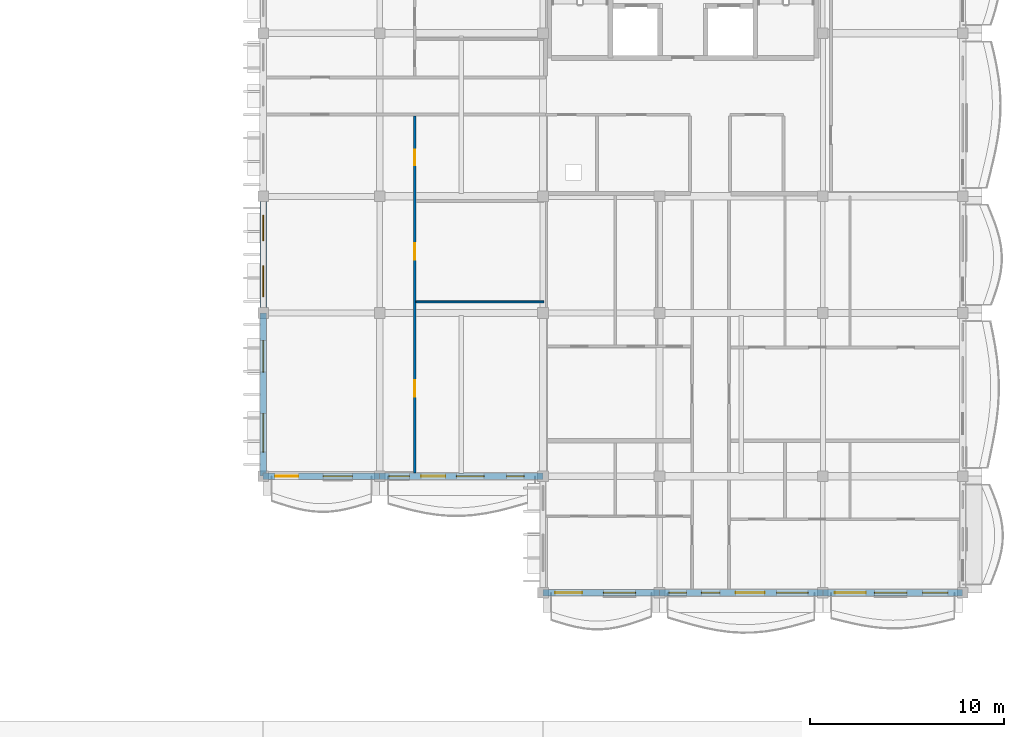
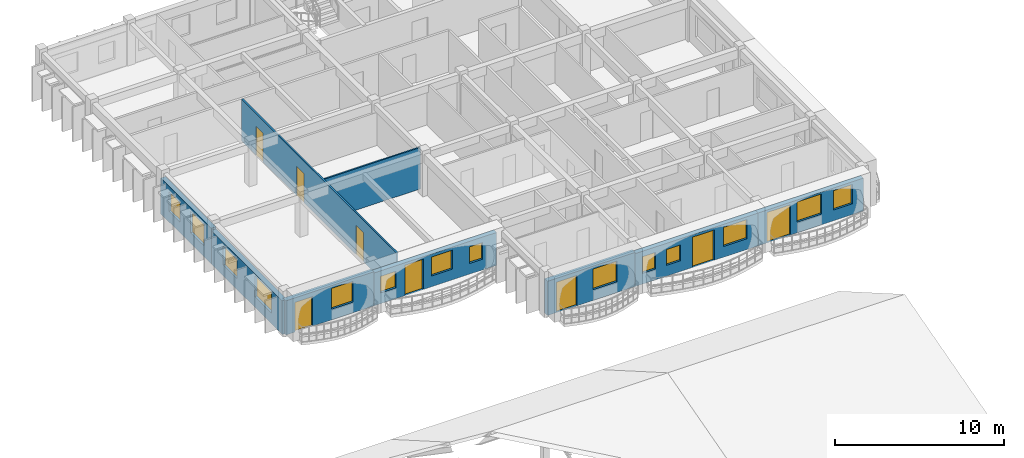
# One storey, part 58 of 101: 14 windows, 9 walls, 8 doors, 22 openings.
"""IFC4 building model written with IfcOpenShell, lengths in metres."""

from ifc_helpers import new_model, si_unit, direction, frame, frame_2d, origin, place, context, subcontext, project, spatial, rectangle, extrude, material, layer, layer_set, type_object, element, fill, save


model = new_model("IFC4")

# Units and contexts
model_context = context("Model", 3, precision=1e-05, world=origin(), true_north=direction((0.0, 1.0)))
body_context = subcontext(model_context, "Body", "Model", "MODEL_VIEW")
ifc_project = project(units=[si_unit("LENGTHUNIT", "METRE"), si_unit("AREAUNIT", "SQUARE_METRE"), si_unit("VOLUMEUNIT", "CUBIC_METRE"), si_unit("PLANEANGLEUNIT", "RADIAN"), si_unit("MASSUNIT", "GRAM", prefix="KILO"), si_unit("THERMODYNAMICTEMPERATUREUNIT", "KELVIN")], contexts=[model_context])

# Site, building, storey
site_placement = place(None, origin())
site = spatial("IfcSite", under=ifc_project, at=site_placement, CompositionType="ELEMENT")
building_placement = place(site_placement, origin())
building = spatial("IfcBuilding", under=site, at=building_placement, Name="Thalorik Housing Commons", CompositionType="ELEMENT")
storey_placement = place(building_placement, frame((0.0, 0.0, 8.10009765625)))
storey = spatial("IfcBuildingStorey", under=building, at=storey_placement, Name="L02", CompositionType="ELEMENT", Elevation=8.10009765625)

# Wall, openings, windows
ifc_material_1 = material(Name="White precast concrete C40/50", Category="concrete")
ifc_layer_1 = layer(ifc_material_1, 0.3349609375, Name="White precast concrete C40/50", Category="concrete")
ifc_layer_set_1 = layer_set([ifc_layer_1], Name="White precast concrete C40/50")
wall_type_1 = type_object("IfcWallType", Name="ARC-WAL-EXT-335", PredefinedType="STANDARD", material=ifc_layer_set_1)
wall_1_placement = place(storey_placement, frame((138.0, 57.60009765625, 0.0), z_axis=(0.0, 0.0, 1.0), x_axis=(0.0, -1.0, 0.0)))
wall_1 = element("IfcWall", 1, at=wall_1_placement, inside=storey, type_object=wall_type_1, Name="L02 Exterior Wall WAL-EXT-L02-D-1149", PredefinedType="STANDARD", context=body_context, shape_type="SweptSolid", body=[
    extrude(rectangle(XDim=6.0, YDim=0.3349609375, at=frame_2d((3.0, 0.0))), origin(), (0.0, 0.0, 1.0), 2.574951171875),
])
opening_1_placement = place(wall_1_placement, frame((0.97998046875, 0.0, 0.780029296875)))
opening_1 = element("IfcOpeningElement", 2, at=opening_1_placement, cuts=wall_1, Name="Opening W-06", PredefinedType="OPENING", context=body_context, shape_type="SweptSolid", body=[
    extrude(rectangle(XDim=1.300048828125, YDim=1.39990234375, at=frame_2d((0.64990234375, 0.699951171875))), frame((0.0, 0.177490234375, 0.0), z_axis=(0.0, -1.0, 0.0), x_axis=(1.0, 0.0, 0.0)), (0.0, 0.0, 1.0), 0.35498046875),
])
opening_2_placement = place(wall_1_placement, frame((3.570068359375, 0.0, 0.780029296875)))
opening_2 = element("IfcOpeningElement", 3, at=opening_2_placement, cuts=wall_1, Name="Opening W-13", PredefinedType="OPENING", context=body_context, shape_type="SweptSolid", body=[
    extrude(rectangle(XDim=1.60009765625, YDim=1.550048828125, at=frame_2d((0.800048828125, 0.77490234375))), frame((0.0, 0.177490234375, 0.0), z_axis=(0.0, -1.0, 0.0), x_axis=(1.0, 0.0, 0.0)), (0.0, 0.0, 1.0), 0.35498046875),
])
ifc_material_2 = material(Name="Anodised aluminium and solar-control low-E glass", Category="aluminium")
window_type_1 = type_object("IfcWindowType", Name="ARC-WIN-06", PartitioningType="SINGLE_PANEL", PredefinedType="WINDOW", material=ifc_material_2)
window_1_placement = place(opening_1_placement, origin())
window_1 = element("IfcWindow", 4, at=window_1_placement, inside=storey, type_object=window_type_1, Name="L02 Facade Window 2106", OverallHeight=1.39990234375, OverallWidth=1.300048828125, PartitioningType="SINGLE_PANEL", PredefinedType="WINDOW", context=body_context, shape_type="SweptSolid", body=[
    extrude(rectangle(XDim=1.300048828125, YDim=1.39990234375, at=frame_2d((0.64990234375, 0.699951171875))), frame((0.0, 0.030029296875, 0.0), z_axis=(0.0, -1.0, 0.0), x_axis=(1.0, 0.0, 0.0)), (0.0, 0.0, 1.0), 0.06005859375),
])
fill(opening_1, window_1)
window_type_2 = type_object("IfcWindowType", Name="ARC-WIN-13", PartitioningType="DOUBLE_PANEL_VERTICAL", PredefinedType="WINDOW", material=ifc_material_2)
window_2_placement = place(opening_2_placement, origin())
window_2 = element("IfcWindow", 5, at=window_2_placement, inside=storey, type_object=window_type_2, Name="L02 Facade Window 2107", OverallHeight=1.550048828125, OverallWidth=1.60009765625, PartitioningType="DOUBLE_PANEL_VERTICAL", PredefinedType="WINDOW", context=body_context, shape_type="SweptSolid", body=[
    extrude(rectangle(XDim=1.60009765625, YDim=1.550048828125, at=frame_2d((0.800048828125, 0.77490234375))), frame((0.0, 0.030029296875, 0.0), z_axis=(0.0, -1.0, 0.0), x_axis=(1.0, 0.0, 0.0)), (0.0, 0.0, 1.0), 0.06005859375),
])
fill(opening_2, window_2)

wall_2_placement = place(storey_placement, frame((138.0, 51.60009765625, 0.0), z_axis=(0.0, 0.0, 1.0), x_axis=(0.0, -1.0, 0.0)))
wall_2 = element("IfcWall", 6, at=wall_2_placement, inside=storey, type_object=wall_type_1, Name="L02 Exterior Wall WAL-EXT-L02-D-1150", PredefinedType="STANDARD", context=body_context, shape_type="SweptSolid", body=[
    extrude(rectangle(XDim=8.400146484375, YDim=0.3349609375, at=frame_2d((4.2001953125, 0.0))), origin(), (0.0, 0.0, 1.0), 2.4248046875),
])
opening_3_placement = place(wall_2_placement, frame((1.419921875, 0.0, 0.780029296875)))
opening_3 = element("IfcOpeningElement", 7, at=opening_3_placement, cuts=wall_2, Name="Opening W-54", PredefinedType="OPENING", context=body_context, shape_type="SweptSolid", body=[
    extrude(rectangle(XDim=1.6201171875, YDim=1.3798828125, at=frame_2d((0.81005859375, 0.68994140625))), frame((0.0, 0.177490234375, 0.0), z_axis=(0.0, -1.0, 0.0), x_axis=(1.0, 0.0, 0.0)), (0.0, 0.0, 1.0), 0.35498046875),
])
opening_4_placement = place(wall_2_placement, frame((5.179931640625, 0.0, 0.780029296875)))
opening_4 = element("IfcOpeningElement", 8, at=opening_4_placement, cuts=wall_2, Name="Opening W-61", PredefinedType="OPENING", context=body_context, shape_type="SweptSolid", body=[
    extrude(rectangle(XDim=1.97998046875, YDim=1.5, at=frame_2d((0.989990234375, 0.75))), frame((0.0, 0.177490234375, 0.0), z_axis=(0.0, -1.0, 0.0), x_axis=(1.0, 0.0, 0.0)), (0.0, 0.0, 1.0), 0.35498046875),
])
window_type_3 = type_object("IfcWindowType", Name="ARC-WIN-54", PartitioningType="DOUBLE_PANEL_VERTICAL", PredefinedType="WINDOW", material=ifc_material_2)
window_3_placement = place(opening_3_placement, origin())
window_3 = element("IfcWindow", 9, at=window_3_placement, inside=storey, type_object=window_type_3, Name="L02 Facade Window 2108", OverallHeight=1.3798828125, OverallWidth=1.6201171875, PartitioningType="DOUBLE_PANEL_VERTICAL", PredefinedType="WINDOW", context=body_context, shape_type="SweptSolid", body=[
    extrude(rectangle(XDim=1.6201171875, YDim=1.3798828125, at=frame_2d((0.81005859375, 0.68994140625))), frame((0.0, 0.030029296875, 0.0), z_axis=(0.0, -1.0, 0.0), x_axis=(1.0, 0.0, 0.0)), (0.0, 0.0, 1.0), 0.06005859375),
])
fill(opening_3, window_3)
window_type_4 = type_object("IfcWindowType", Name="ARC-WIN-61", PartitioningType="DOUBLE_PANEL_VERTICAL", PredefinedType="WINDOW", material=ifc_material_2)
window_4_placement = place(opening_4_placement, origin())
window_4 = element("IfcWindow", 10, at=window_4_placement, inside=storey, type_object=window_type_4, Name="L02 Facade Window 2109", OverallHeight=1.5, OverallWidth=1.97998046875, PartitioningType="DOUBLE_PANEL_VERTICAL", PredefinedType="WINDOW", context=body_context, shape_type="SweptSolid", body=[
    extrude(rectangle(XDim=1.97998046875, YDim=1.5, at=frame_2d((0.989990234375, 0.75))), frame((0.0, 0.030029296875, 0.0), z_axis=(0.0, -1.0, 0.0), x_axis=(1.0, 0.0, 0.0)), (0.0, 0.0, 1.0), 0.06005859375),
])
fill(opening_4, window_4)

# Wall, openings, door, window
wall_3_placement = place(storey_placement, frame((138.0, 43.199951171875, 0.0), z_axis=(0.0, 0.0, 1.0), x_axis=(1.0, 0.0, 0.0)))
wall_3 = element("IfcWall", 11, at=wall_3_placement, inside=storey, type_object=wall_type_1, Name="L02 Exterior Wall WAL-EXT-L02-D-1151", PredefinedType="STANDARD", context=body_context, shape_type="SweptSolid", body=[
    extrude(rectangle(XDim=6.0, YDim=0.3349609375, at=frame_2d((3.0, 0.0))), origin(), (0.0, 0.0, 1.0), 2.474853515625),
])
opening_5_placement = place(wall_3_placement, frame((0.6201171875, 0.0, 0.0)))
opening_5 = element("IfcOpeningElement", 12, at=opening_5_placement, cuts=wall_3, Name="Opening ED-0376", PredefinedType="OPENING", context=body_context, shape_type="SweptSolid", body=[
    extrude(rectangle(XDim=1.199951171875, YDim=2.14990234375, at=frame_2d((0.60009765625, 1.074951171875))), frame((0.0, 0.177490234375, 0.0), z_axis=(0.0, -1.0, 0.0), x_axis=(1.0, 0.0, 0.0)), (0.0, 0.0, 1.0), 0.35498046875),
])
opening_6_placement = place(wall_3_placement, frame((3.090087890625, 0.0, 0.780029296875)))
opening_6 = element("IfcOpeningElement", 13, at=opening_6_placement, cuts=wall_3, Name="Opening W-10", PredefinedType="OPENING", context=body_context, shape_type="SweptSolid", body=[
    extrude(rectangle(XDim=1.5, YDim=1.5, at=frame_2d((0.75, 0.75))), frame((0.0, 0.177490234375, 0.0), z_axis=(0.0, -1.0, 0.0), x_axis=(1.0, 0.0, 0.0)), (0.0, 0.0, 1.0), 0.35498046875),
])
ifc_material_3 = material(Name="Anodised aluminium and laminated safety glass", Category="aluminium")
door_type_1 = type_object("IfcDoorType", Name="ARC-DR-BAL-1200", OperationType="NOTDEFINED", PredefinedType="DOOR", material=ifc_material_3)
door_1_placement = place(opening_5_placement, frame((1.199951171875, 0.0, 0.0), z_axis=(0.0, 0.0, 1.0), x_axis=(-1.0, 0.0, 0.0)))
door_1 = element("IfcDoor", 14, at=door_1_placement, inside=storey, type_object=door_type_1, Name="L02 Block D Balcony Glazed Door", OperationType="SINGLE_SWING_LEFT", OverallHeight=2.14990234375, OverallWidth=1.199951171875, PredefinedType="DOOR", context=body_context, shape_type="SweptSolid", body=[
    extrude(rectangle(XDim=1.199951171875, YDim=2.14990234375, at=frame_2d((0.60009765625, 1.074951171875))), frame((0.0, 0.02490234375, 0.0), z_axis=(0.0, -1.0, 0.0), x_axis=(1.0, 0.0, 0.0)), (0.0, 0.0, 1.0), 0.050048828125),
])
fill(opening_5, door_1)
window_type_5 = type_object("IfcWindowType", Name="ARC-WIN-10", PartitioningType="SINGLE_PANEL", PredefinedType="WINDOW", material=ifc_material_2)
window_5_placement = place(opening_6_placement, origin())
window_5 = element("IfcWindow", 15, at=window_5_placement, inside=storey, type_object=window_type_5, Name="L02 Facade Window 2110", OverallHeight=1.5, OverallWidth=1.5, PartitioningType="SINGLE_PANEL", PredefinedType="WINDOW", context=body_context, shape_type="SweptSolid", body=[
    extrude(rectangle(XDim=1.5, YDim=1.5, at=frame_2d((0.75, 0.75))), frame((0.0, 0.030029296875, 0.0), z_axis=(0.0, -1.0, 0.0), x_axis=(1.0, 0.0, 0.0)), (0.0, 0.0, 1.0), 0.06005859375),
])
fill(opening_6, window_5)

# Wall, openings, door, windows
wall_4_placement = place(storey_placement, frame((144.0, 43.199951171875, 0.0), z_axis=(0.0, 0.0, 1.0), x_axis=(1.0, 0.0, 0.0)))
wall_4 = element("IfcWall", 16, at=wall_4_placement, inside=storey, type_object=wall_type_1, Name="L02 Exterior Wall WAL-EXT-L02-D-1152", PredefinedType="STANDARD", context=body_context, shape_type="SweptSolid", body=[
    extrude(rectangle(XDim=8.39990234375, YDim=0.3349609375, at=frame_2d((4.199951171875, 0.0))), origin(), (0.0, 0.0, 1.0), 2.375),
])
opening_7_placement = place(wall_4_placement, frame((2.1298828125, 0.0, 0.0)))
opening_7 = element("IfcOpeningElement", 17, at=opening_7_placement, cuts=wall_4, Name="Opening ED-0377", PredefinedType="OPENING", context=body_context, shape_type="SweptSolid", body=[
    extrude(rectangle(XDim=1.25, YDim=2.199951171875, at=frame_2d((0.625, 1.10009765625))), frame((0.0, 0.177490234375, 0.0), z_axis=(0.0, -1.0, 0.0), x_axis=(1.0, 0.0, 0.0)), (0.0, 0.0, 1.0), 0.35498046875),
])
opening_8_placement = place(wall_4_placement, frame((0.469970703125, 0.0, 0.780029296875)))
opening_8 = element("IfcOpeningElement", 18, at=opening_8_placement, cuts=wall_4, Name="Opening W-44", PredefinedType="OPENING", context=body_context, shape_type="SweptSolid", body=[
    extrude(rectangle(XDim=1.050048828125, YDim=1.199951171875, at=frame_2d((0.52490234375, 0.60009765625))), frame((0.0, 0.177490234375, 0.0), z_axis=(0.0, -1.0, 0.0), x_axis=(1.0, 0.0, 0.0)), (0.0, 0.0, 1.0), 0.35498046875),
])
opening_9_placement = place(wall_4_placement, frame((3.949951171875, 0.0, 0.780029296875)))
opening_9 = element("IfcOpeningElement", 19, at=opening_9_placement, cuts=wall_4, Name="Opening W-50", PredefinedType="OPENING", context=body_context, shape_type="SweptSolid", body=[
    extrude(rectangle(XDim=1.419921875, YDim=1.3798828125, at=frame_2d((0.7099609375, 0.68994140625))), frame((0.0, 0.177490234375, 0.0), z_axis=(0.0, -1.0, 0.0), x_axis=(1.0, 0.0, 0.0)), (0.0, 0.0, 1.0), 0.35498046875),
])
opening_10_placement = place(wall_4_placement, frame((6.530029296875, 0.0, 0.780029296875)))
opening_10 = element("IfcOpeningElement", 20, at=opening_10_placement, cuts=wall_4, Name="Opening W-01", PredefinedType="OPENING", context=body_context, shape_type="SweptSolid", body=[
    extrude(rectangle(XDim=0.89990234375, YDim=1.199951171875, at=frame_2d((0.449951171875, 0.60009765625))), frame((0.0, 0.177490234375, 0.0), z_axis=(0.0, -1.0, 0.0), x_axis=(1.0, 0.0, 0.0)), (0.0, 0.0, 1.0), 0.35498046875),
])
door_type_2 = type_object("IfcDoorType", Name="ARC-DR-BAL-1250", OperationType="NOTDEFINED", PredefinedType="DOOR", material=ifc_material_3)
door_2_placement = place(opening_7_placement, frame((1.25, 0.0, 0.0), z_axis=(0.0, 0.0, 1.0), x_axis=(-1.0, 0.0, 0.0)))
door_2 = element("IfcDoor", 21, at=door_2_placement, inside=storey, type_object=door_type_2, Name="L02 Block D Balcony Glazed Door", OperationType="SINGLE_SWING_RIGHT", OverallHeight=2.199951171875, OverallWidth=1.25, PredefinedType="DOOR", context=body_context, shape_type="SweptSolid", body=[
    extrude(rectangle(XDim=1.25, YDim=2.199951171875, at=frame_2d((0.625, 1.10009765625))), frame((0.0, 0.02490234375, 0.0), z_axis=(0.0, -1.0, 0.0), x_axis=(1.0, 0.0, 0.0)), (0.0, 0.0, 1.0), 0.050048828125),
])
fill(opening_7, door_2)
window_type_6 = type_object("IfcWindowType", Name="ARC-WIN-01", PartitioningType="SINGLE_PANEL", PredefinedType="WINDOW", material=ifc_material_2)
window_6_placement = place(opening_10_placement, origin())
window_6 = element("IfcWindow", 22, at=window_6_placement, inside=storey, type_object=window_type_6, Name="L02 Facade Window 2113", OverallHeight=1.199951171875, OverallWidth=0.89990234375, PartitioningType="SINGLE_PANEL", PredefinedType="WINDOW", context=body_context, shape_type="SweptSolid", body=[
    extrude(rectangle(XDim=0.89990234375, YDim=1.199951171875, at=frame_2d((0.449951171875, 0.60009765625))), frame((0.0, 0.030029296875, 0.0), z_axis=(0.0, -1.0, 0.0), x_axis=(1.0, 0.0, 0.0)), (0.0, 0.0, 1.0), 0.06005859375),
])
fill(opening_10, window_6)
window_type_7 = type_object("IfcWindowType", Name="ARC-WIN-44", PartitioningType="SINGLE_PANEL", PredefinedType="WINDOW", material=ifc_material_2)
window_7_placement = place(opening_8_placement, origin())
window_7 = element("IfcWindow", 23, at=window_7_placement, inside=storey, type_object=window_type_7, Name="L02 Facade Window 2111", OverallHeight=1.199951171875, OverallWidth=1.050048828125, PartitioningType="SINGLE_PANEL", PredefinedType="WINDOW", context=body_context, shape_type="SweptSolid", body=[
    extrude(rectangle(XDim=1.050048828125, YDim=1.199951171875, at=frame_2d((0.52490234375, 0.60009765625))), frame((0.0, 0.030029296875, 0.0), z_axis=(0.0, -1.0, 0.0), x_axis=(1.0, 0.0, 0.0)), (0.0, 0.0, 1.0), 0.06005859375),
])
fill(opening_8, window_7)
window_type_8 = type_object("IfcWindowType", Name="ARC-WIN-50", PartitioningType="SINGLE_PANEL", PredefinedType="WINDOW", material=ifc_material_2)
window_8_placement = place(opening_9_placement, origin())
window_8 = element("IfcWindow", 24, at=window_8_placement, inside=storey, type_object=window_type_8, Name="L02 Facade Window 2112", OverallHeight=1.3798828125, OverallWidth=1.419921875, PartitioningType="SINGLE_PANEL", PredefinedType="WINDOW", context=body_context, shape_type="SweptSolid", body=[
    extrude(rectangle(XDim=1.419921875, YDim=1.3798828125, at=frame_2d((0.7099609375, 0.68994140625))), frame((0.0, 0.030029296875, 0.0), z_axis=(0.0, -1.0, 0.0), x_axis=(1.0, 0.0, 0.0)), (0.0, 0.0, 1.0), 0.06005859375),
])
fill(opening_9, window_8)

# Wall, openings, door, window
wall_5_placement = place(storey_placement, frame((152.39990234375, 37.199951171875, 0.0), z_axis=(0.0, 0.0, 1.0), x_axis=(1.0, 0.0, 0.0)))
wall_5 = element("IfcWall", 25, at=wall_5_placement, inside=storey, type_object=wall_type_1, Name="L02 Exterior Wall WAL-EXT-L02-D-1154", PredefinedType="STANDARD", context=body_context, shape_type="SweptSolid", body=[
    extrude(rectangle(XDim=6.0, YDim=0.3349609375, at=frame_2d((3.0, 0.0))), origin(), (0.0, 0.0, 1.0), 2.474853515625),
])
opening_11_placement = place(wall_5_placement, frame((0.6201171875, 0.0, 0.0)))
opening_11 = element("IfcOpeningElement", 26, at=opening_11_placement, cuts=wall_5, Name="Opening ED-0378", PredefinedType="OPENING", context=body_context, shape_type="SweptSolid", body=[
    extrude(rectangle(XDim=1.39990234375, YDim=2.199951171875, at=frame_2d((0.699951171875, 1.10009765625))), frame((0.0, 0.177490234375, 0.0), z_axis=(0.0, -1.0, 0.0), x_axis=(1.0, 0.0, 0.0)), (0.0, 0.0, 1.0), 0.35498046875),
])
opening_12_placement = place(wall_5_placement, frame((3.114990234375, 0.0, 0.780029296875)))
opening_12 = element("IfcOpeningElement", 27, at=opening_12_placement, cuts=wall_5, Name="Opening W-15", PredefinedType="OPENING", context=body_context, shape_type="SweptSolid", body=[
    extrude(rectangle(XDim=1.64990234375, YDim=1.5, at=frame_2d((0.824951171875, 0.75))), frame((0.0, 0.177490234375, 0.0), z_axis=(0.0, -1.0, 0.0), x_axis=(1.0, 0.0, 0.0)), (0.0, 0.0, 1.0), 0.35498046875),
])
door_type_3 = type_object("IfcDoorType", Name="ARC-DR-BAL-1400", OperationType="NOTDEFINED", PredefinedType="DOOR", material=ifc_material_3)
door_3_placement = place(opening_11_placement, frame((1.39990234375, 0.0, 0.0), z_axis=(0.0, 0.0, 1.0), x_axis=(-1.0, 0.0, 0.0)))
door_3 = element("IfcDoor", 28, at=door_3_placement, inside=storey, type_object=door_type_3, Name="L02 Block D Balcony Glazed Door", OperationType="SLIDING_TO_LEFT", OverallHeight=2.199951171875, OverallWidth=1.39990234375, PredefinedType="DOOR", context=body_context, shape_type="SweptSolid", body=[
    extrude(rectangle(XDim=1.39990234375, YDim=2.199951171875, at=frame_2d((0.699951171875, 1.10009765625))), frame((0.0, 0.02490234375, 0.0), z_axis=(0.0, -1.0, 0.0), x_axis=(1.0, 0.0, 0.0)), (0.0, 0.0, 1.0), 0.050048828125),
])
fill(opening_11, door_3)
window_type_9 = type_object("IfcWindowType", Name="ARC-WIN-15", PartitioningType="DOUBLE_PANEL_VERTICAL", PredefinedType="WINDOW", material=ifc_material_2)
window_9_placement = place(opening_12_placement, origin())
window_9 = element("IfcWindow", 29, at=window_9_placement, inside=storey, type_object=window_type_9, Name="L02 Facade Window 2116", OverallHeight=1.5, OverallWidth=1.64990234375, PartitioningType="DOUBLE_PANEL_VERTICAL", PredefinedType="WINDOW", context=body_context, shape_type="SweptSolid", body=[
    extrude(rectangle(XDim=1.64990234375, YDim=1.5, at=frame_2d((0.824951171875, 0.75))), frame((0.0, 0.030029296875, 0.0), z_axis=(0.0, -1.0, 0.0), x_axis=(1.0, 0.0, 0.0)), (0.0, 0.0, 1.0), 0.06005859375),
])
fill(opening_12, window_9)

# Wall, openings, door, windows
wall_6_placement = place(storey_placement, frame((158.39990234375, 37.199951171875, 0.0), z_axis=(0.0, 0.0, 1.0), x_axis=(1.0, 0.0, 0.0)))
wall_6 = element("IfcWall", 30, at=wall_6_placement, inside=storey, type_object=wall_type_1, Name="L02 Exterior Wall WAL-EXT-L02-D-1155", PredefinedType="STANDARD", context=body_context, shape_type="SweptSolid", body=[
    extrude(rectangle(XDim=8.400146484375, YDim=0.3349609375, at=frame_2d((4.2001953125, 0.0))), origin(), (0.0, 0.0, 1.0), 2.375),
])
opening_13_placement = place(wall_6_placement, frame((3.909912109375, 0.0, 0.0)))
opening_13 = element("IfcOpeningElement", 31, at=opening_13_placement, cuts=wall_6, Name="Opening ED-0379", PredefinedType="OPENING", context=body_context, shape_type="SweptSolid", body=[
    extrude(rectangle(XDim=1.5, YDim=2.199951171875, at=frame_2d((0.75, 1.10009765625))), frame((0.0, 0.177490234375, 0.0), z_axis=(0.0, -1.0, 0.0), x_axis=(1.0, 0.0, 0.0)), (0.0, 0.0, 1.0), 0.35498046875),
])
opening_14_placement = place(wall_6_placement, frame((0.485107421875, 0.0, 0.780029296875)))
opening_14 = element("IfcOpeningElement", 32, at=opening_14_placement, cuts=wall_6, Name="Opening W-01", PredefinedType="OPENING", context=body_context, shape_type="SweptSolid", body=[
    extrude(rectangle(XDim=0.89990234375, YDim=1.199951171875, at=frame_2d((0.449951171875, 0.60009765625))), frame((0.0, 0.177490234375, 0.0), z_axis=(0.0, -1.0, 0.0), x_axis=(1.0, 0.0, 0.0)), (0.0, 0.0, 1.0), 0.35498046875),
])
opening_15_placement = place(wall_6_placement, frame((2.155029296875, 0.0, 0.780029296875)))
opening_15 = element("IfcOpeningElement", 33, at=opening_15_placement, cuts=wall_6, Name="Opening W-43", PredefinedType="OPENING", context=body_context, shape_type="SweptSolid", body=[
    extrude(rectangle(XDim=0.949951171875, YDim=1.14990234375, at=frame_2d((0.47509765625, 0.574951171875))), frame((0.0, 0.177490234375, 0.0), z_axis=(0.0, -1.0, 0.0), x_axis=(1.0, 0.0, 0.0)), (0.0, 0.0, 1.0), 0.35498046875),
])
opening_16_placement = place(wall_6_placement, frame((6.02490234375, 0.0, 0.780029296875)))
opening_16 = element("IfcOpeningElement", 34, at=opening_16_placement, cuts=wall_6, Name="Opening W-54", PredefinedType="OPENING", context=body_context, shape_type="SweptSolid", body=[
    extrude(rectangle(XDim=1.6201171875, YDim=1.3798828125, at=frame_2d((0.81005859375, 0.68994140625))), frame((0.0, 0.177490234375, 0.0), z_axis=(0.0, -1.0, 0.0), x_axis=(1.0, 0.0, 0.0)), (0.0, 0.0, 1.0), 0.35498046875),
])
door_type_4 = type_object("IfcDoorType", Name="ARC-DR-BAL-1500", OperationType="NOTDEFINED", PredefinedType="DOOR", material=ifc_material_3)
door_4_placement = place(opening_13_placement, frame((1.5, 0.0, 0.0), z_axis=(0.0, 0.0, 1.0), x_axis=(-1.0, 0.0, 0.0)))
door_4 = element("IfcDoor", 35, at=door_4_placement, inside=storey, type_object=door_type_4, Name="L02 Block D Balcony Glazed Door", OperationType="SLIDING_TO_RIGHT", OverallHeight=2.199951171875, OverallWidth=1.5, PredefinedType="DOOR", context=body_context, shape_type="SweptSolid", body=[
    extrude(rectangle(XDim=1.5, YDim=2.199951171875, at=frame_2d((0.75, 1.10009765625))), frame((0.0, 0.02490234375, 0.0), z_axis=(0.0, -1.0, 0.0), x_axis=(1.0, 0.0, 0.0)), (0.0, 0.0, 1.0), 0.050048828125),
])
fill(opening_13, door_4)
window_10_placement = place(opening_14_placement, origin())
window_10 = element("IfcWindow", 36, at=window_10_placement, inside=storey, type_object=window_type_6, Name="L02 Facade Window 2117", OverallHeight=1.199951171875, OverallWidth=0.89990234375, PartitioningType="SINGLE_PANEL", PredefinedType="WINDOW", context=body_context, shape_type="SweptSolid", body=[
    extrude(rectangle(XDim=0.89990234375, YDim=1.199951171875, at=frame_2d((0.449951171875, 0.60009765625))), frame((0.0, 0.030029296875, 0.0), z_axis=(0.0, -1.0, 0.0), x_axis=(1.0, 0.0, 0.0)), (0.0, 0.0, 1.0), 0.06005859375),
])
fill(opening_14, window_10)
window_type_10 = type_object("IfcWindowType", Name="ARC-WIN-43", PartitioningType="SINGLE_PANEL", PredefinedType="WINDOW", material=ifc_material_2)
window_11_placement = place(opening_15_placement, origin())
window_11 = element("IfcWindow", 37, at=window_11_placement, inside=storey, type_object=window_type_10, Name="L02 Facade Window 2118", OverallHeight=1.14990234375, OverallWidth=0.949951171875, PartitioningType="SINGLE_PANEL", PredefinedType="WINDOW", context=body_context, shape_type="SweptSolid", body=[
    extrude(rectangle(XDim=0.949951171875, YDim=1.14990234375, at=frame_2d((0.47509765625, 0.574951171875))), frame((0.0, 0.030029296875, 0.0), z_axis=(0.0, -1.0, 0.0), x_axis=(1.0, 0.0, 0.0)), (0.0, 0.0, 1.0), 0.06005859375),
])
fill(opening_15, window_11)
window_12_placement = place(opening_16_placement, origin())
window_12 = element("IfcWindow", 38, at=window_12_placement, inside=storey, type_object=window_type_3, Name="L02 Facade Window 2119", OverallHeight=1.3798828125, OverallWidth=1.6201171875, PartitioningType="DOUBLE_PANEL_VERTICAL", PredefinedType="WINDOW", context=body_context, shape_type="SweptSolid", body=[
    extrude(rectangle(XDim=1.6201171875, YDim=1.3798828125, at=frame_2d((0.81005859375, 0.68994140625))), frame((0.0, 0.030029296875, 0.0), z_axis=(0.0, -1.0, 0.0), x_axis=(1.0, 0.0, 0.0)), (0.0, 0.0, 1.0), 0.06005859375),
])
fill(opening_16, window_12)

wall_7_placement = place(storey_placement, frame((166.800048828125, 37.199951171875, 0.0), z_axis=(0.0, 0.0, 1.0), x_axis=(1.0, 0.0, 0.0)))
wall_7 = element("IfcWall", 39, at=wall_7_placement, inside=storey, type_object=wall_type_1, Name="L02 Exterior Wall WAL-EXT-L02-D-1156", PredefinedType="STANDARD", context=body_context, shape_type="SweptSolid", body=[
    extrude(rectangle(XDim=7.199951171875, YDim=0.3349609375, at=frame_2d((3.60009765625, 0.0))), origin(), (0.0, 0.0, 1.0), 2.375),
])
opening_17_placement = place(wall_7_placement, frame((0.6201171875, 0.0, 0.0)))
opening_17 = element("IfcOpeningElement", 40, at=opening_17_placement, cuts=wall_7, Name="Opening ED-0380", PredefinedType="OPENING", context=body_context, shape_type="SweptSolid", body=[
    extrude(rectangle(XDim=1.60009765625, YDim=2.199951171875, at=frame_2d((0.800048828125, 1.10009765625))), frame((0.0, 0.177490234375, 0.0), z_axis=(0.0, -1.0, 0.0), x_axis=(1.0, 0.0, 0.0)), (0.0, 0.0, 1.0), 0.35498046875),
])
opening_18_placement = place(wall_7_placement, frame((2.64990234375, 0.0, 0.780029296875)))
opening_18 = element("IfcOpeningElement", 41, at=opening_18_placement, cuts=wall_7, Name="Opening W-55", PredefinedType="OPENING", context=body_context, shape_type="SweptSolid", body=[
    extrude(rectangle(XDim=1.679931640625, YDim=1.4599609375, at=frame_2d((0.83984375, 0.72998046875))), frame((0.0, 0.177490234375, 0.0), z_axis=(0.0, -1.0, 0.0), x_axis=(1.0, 0.0, 0.0)), (0.0, 0.0, 1.0), 0.35498046875),
])
opening_19_placement = place(wall_7_placement, frame((5.139892578125, 0.0, 0.780029296875)))
opening_19 = element("IfcOpeningElement", 42, at=opening_19_placement, cuts=wall_7, Name="Opening W-06", PredefinedType="OPENING", context=body_context, shape_type="SweptSolid", body=[
    extrude(rectangle(XDim=1.300048828125, YDim=1.39990234375, at=frame_2d((0.64990234375, 0.699951171875))), frame((0.0, 0.177490234375, 0.0), z_axis=(0.0, -1.0, 0.0), x_axis=(1.0, 0.0, 0.0)), (0.0, 0.0, 1.0), 0.35498046875),
])
door_type_5 = type_object("IfcDoorType", Name="ARC-DR-BAL-1600", OperationType="NOTDEFINED", PredefinedType="DOOR", material=ifc_material_3)
door_5_placement = place(opening_17_placement, frame((1.60009765625, 0.0, 0.0), z_axis=(0.0, 0.0, 1.0), x_axis=(-1.0, 0.0, 0.0)))
door_5 = element("IfcDoor", 43, at=door_5_placement, inside=storey, type_object=door_type_5, Name="L02 Block D Balcony Glazed Door", OperationType="SLIDING_TO_LEFT", OverallHeight=2.199951171875, OverallWidth=1.60009765625, PredefinedType="DOOR", context=body_context, shape_type="SweptSolid", body=[
    extrude(rectangle(XDim=1.60009765625, YDim=2.199951171875, at=frame_2d((0.800048828125, 1.10009765625))), frame((0.0, 0.02490234375, 0.0), z_axis=(0.0, -1.0, 0.0), x_axis=(1.0, 0.0, 0.0)), (0.0, 0.0, 1.0), 0.050048828125),
])
fill(opening_17, door_5)
window_13_placement = place(opening_19_placement, origin())
window_13 = element("IfcWindow", 44, at=window_13_placement, inside=storey, type_object=window_type_1, Name="L02 Facade Window 2121", OverallHeight=1.39990234375, OverallWidth=1.300048828125, PartitioningType="SINGLE_PANEL", PredefinedType="WINDOW", context=body_context, shape_type="SweptSolid", body=[
    extrude(rectangle(XDim=1.300048828125, YDim=1.39990234375, at=frame_2d((0.64990234375, 0.699951171875))), frame((0.0, 0.030029296875, 0.0), z_axis=(0.0, -1.0, 0.0), x_axis=(1.0, 0.0, 0.0)), (0.0, 0.0, 1.0), 0.06005859375),
])
fill(opening_19, window_13)
window_type_11 = type_object("IfcWindowType", Name="ARC-WIN-55", PartitioningType="DOUBLE_PANEL_VERTICAL", PredefinedType="WINDOW", material=ifc_material_2)
window_14_placement = place(opening_18_placement, origin())
window_14 = element("IfcWindow", 45, at=window_14_placement, inside=storey, type_object=window_type_11, Name="L02 Facade Window 2120", OverallHeight=1.4599609375, OverallWidth=1.679931640625, PartitioningType="DOUBLE_PANEL_VERTICAL", PredefinedType="WINDOW", context=body_context, shape_type="SweptSolid", body=[
    extrude(rectangle(XDim=1.679931640625, YDim=1.4599609375, at=frame_2d((0.83984375, 0.72998046875))), frame((0.0, 0.030029296875, 0.0), z_axis=(0.0, -1.0, 0.0), x_axis=(1.0, 0.0, 0.0)), (0.0, 0.0, 1.0), 0.06005859375),
])
fill(opening_18, window_14)

# Wall
ifc_material_4 = material(Name="Gypsum light stud partition", Category="masonry")
ifc_layer_2 = layer(ifc_material_4, 0.10009765625, Name="Gypsum light stud partition", Category="masonry")
ifc_layer_set_2 = layer_set([ifc_layer_2], Name="Gypsum light stud partition")
wall_type_2 = type_object("IfcWallType", Name="ARC-WAL-PART-100", PredefinedType="PARTITIONING", material=ifc_layer_set_2)
wall_8_placement = place(storey_placement, frame((145.859619140625, 52.168701171875, 0.0), z_axis=(0.0, 0.0, 1.0), x_axis=(1.0, 0.0, 0.0)))
element("IfcWall", 46, at=wall_8_placement, inside=storey, type_object=wall_type_2, Name="L02 Unit 1 Bedroom Partition", PredefinedType="PARTITIONING", context=body_context, shape_type="SweptSolid", body=[
    extrude(rectangle(XDim=6.5859375, YDim=0.10009765625, at=frame_2d((3.29296875, 0.0))), origin(), (0.0, 0.0, 1.0), 3.0),
])

# Wall, openings, doors
ifc_material_5 = material(Name="Gypsum moisture-resistant partition", Category="masonry")
ifc_layer_3 = layer(ifc_material_5, 0.114990234375, Name="Gypsum moisture-resistant partition", Category="masonry")
ifc_layer_set_3 = layer_set([ifc_layer_3], Name="Gypsum moisture-resistant partition")
wall_type_3 = type_object("IfcWallType", Name="ARC-WAL-PART-115", PredefinedType="PARTITIONING", material=ifc_layer_set_3)
wall_9_placement = place(storey_placement, frame((145.800048828125, 43.369384765625, 0.0), z_axis=(0.0, 0.0, 1.0), x_axis=(0.0, 1.0, 0.0)))
wall_9 = element("IfcWall", 47, at=wall_9_placement, inside=storey, type_object=wall_type_3, Name="L02 Unit 1 Spine Partition", PredefinedType="PARTITIONING", context=body_context, shape_type="SweptSolid", body=[
    extrude(rectangle(XDim=18.3662109375, YDim=0.114990234375, at=frame_2d((9.18310546875, 0.0))), origin(), (0.0, 0.0, 1.0), 3.0),
])
opening_20_placement = place(wall_9_placement, frame((3.919921875, 0.0, 0.0)))
opening_20 = element("IfcOpeningElement", 48, at=opening_20_placement, cuts=wall_9, Name="Opening ID-2017", PredefinedType="OPENING", context=body_context, shape_type="SweptSolid", body=[
    extrude(rectangle(XDim=0.85009765625, YDim=2.10009765625, at=frame_2d((0.425048828125, 1.050048828125))), frame((0.0, 0.0673828125, 0.0), z_axis=(0.0, -1.0, 0.0), x_axis=(1.0, 0.0, 0.0)), (0.0, 0.0, 1.0), 0.135009765625),
])
opening_21_placement = place(wall_9_placement, frame((10.97265625, 0.0, 0.0)))
opening_21 = element("IfcOpeningElement", 49, at=opening_21_placement, cuts=wall_9, Name="Opening ID-2018", PredefinedType="OPENING", context=body_context, shape_type="SweptSolid", body=[
    extrude(rectangle(XDim=0.85009765625, YDim=2.10009765625, at=frame_2d((0.425048828125, 1.050048828125))), frame((0.0, 0.0673828125, 0.0), z_axis=(0.0, -1.0, 0.0), x_axis=(1.0, 0.0, 0.0)), (0.0, 0.0, 1.0), 0.135009765625),
])
opening_22_placement = place(wall_9_placement, frame((15.8232421875, 0.0, 0.0)))
opening_22 = element("IfcOpeningElement", 50, at=opening_22_placement, cuts=wall_9, Name="Opening ID-2019", PredefinedType="OPENING", context=body_context, shape_type="SweptSolid", body=[
    extrude(rectangle(XDim=0.800048828125, YDim=2.10009765625, at=frame_2d((0.39990234375, 1.050048828125))), frame((0.0, 0.0673828125, 0.0), z_axis=(0.0, -1.0, 0.0), x_axis=(1.0, 0.0, 0.0)), (0.0, 0.0, 1.0), 0.135009765625),
])
ifc_material_6 = material(Name="Moisture-resistant timber", Category="wood")
door_type_6 = type_object("IfcDoorType", Name="ARC-DR-INT-800", OperationType="NOTDEFINED", PredefinedType="DOOR", material=ifc_material_6)
door_6_placement = place(opening_22_placement, origin())
door_6 = element("IfcDoor", 51, at=door_6_placement, inside=storey, type_object=door_type_6, Name="L02 Flat Bathroom Door", OperationType="SINGLE_SWING_RIGHT", OverallHeight=2.10009765625, OverallWidth=0.800048828125, PredefinedType="DOOR", context=body_context, shape_type="SweptSolid", body=[
    extrude(rectangle(XDim=0.800048828125, YDim=2.10009765625, at=frame_2d((0.39990234375, 1.050048828125))), frame((0.0, 0.02490234375, 0.0), z_axis=(0.0, -1.0, 0.0), x_axis=(1.0, 0.0, 0.0)), (0.0, 0.0, 1.0), 0.050048828125),
])
fill(opening_22, door_6)
ifc_material_7 = material(Name="Engineered oak timber", Category="wood")
door_type_7 = type_object("IfcDoorType", Name="ARC-DR-INT-850", OperationType="NOTDEFINED", PredefinedType="DOOR", material=ifc_material_7)
door_7_placement = place(opening_20_placement, origin())
door_7 = element("IfcDoor", 52, at=door_7_placement, inside=storey, type_object=door_type_7, Name="L02 Master Bedroom Door", OperationType="SINGLE_SWING_RIGHT", OverallHeight=2.10009765625, OverallWidth=0.85009765625, PredefinedType="DOOR", context=body_context, shape_type="SweptSolid", body=[
    extrude(rectangle(XDim=0.85009765625, YDim=2.10009765625, at=frame_2d((0.425048828125, 1.050048828125))), frame((0.0, 0.02490234375, 0.0), z_axis=(0.0, -1.0, 0.0), x_axis=(1.0, 0.0, 0.0)), (0.0, 0.0, 1.0), 0.050048828125),
])
fill(opening_20, door_7)
door_8_placement = place(opening_21_placement, origin())
door_8 = element("IfcDoor", 53, at=door_8_placement, inside=storey, type_object=door_type_7, Name="L02 Eat-In Kitchen Door", OperationType="SINGLE_SWING_LEFT", OverallHeight=2.10009765625, OverallWidth=0.85009765625, PredefinedType="DOOR", context=body_context, shape_type="SweptSolid", body=[
    extrude(rectangle(XDim=0.85009765625, YDim=2.10009765625, at=frame_2d((0.425048828125, 1.050048828125))), frame((0.0, 0.02490234375, 0.0), z_axis=(0.0, -1.0, 0.0), x_axis=(1.0, 0.0, 0.0)), (0.0, 0.0, 1.0), 0.050048828125),
])
fill(opening_21, door_8)

save(model, "model.ifc")
